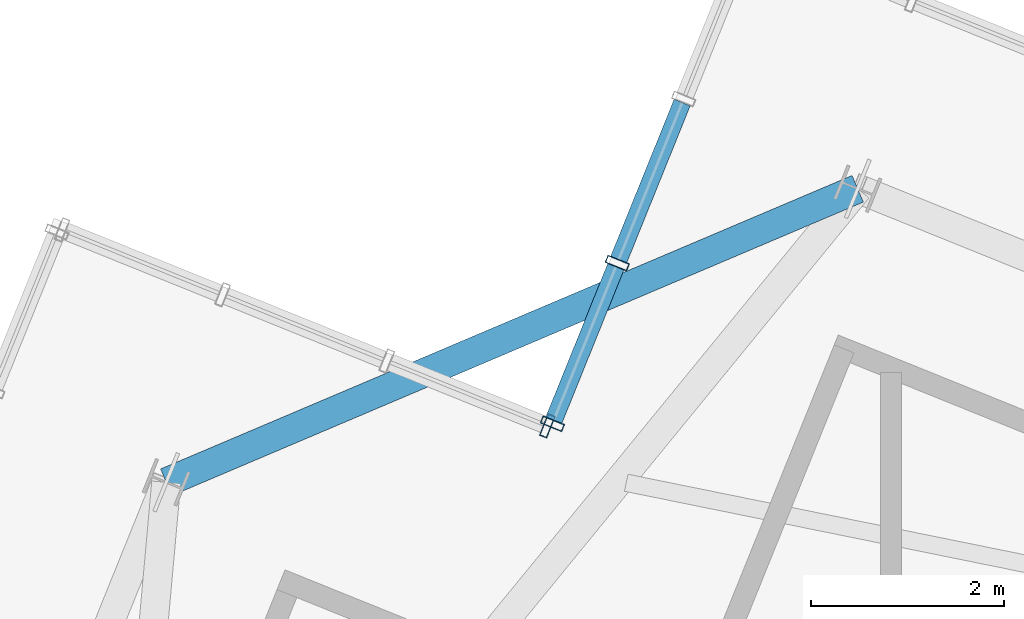
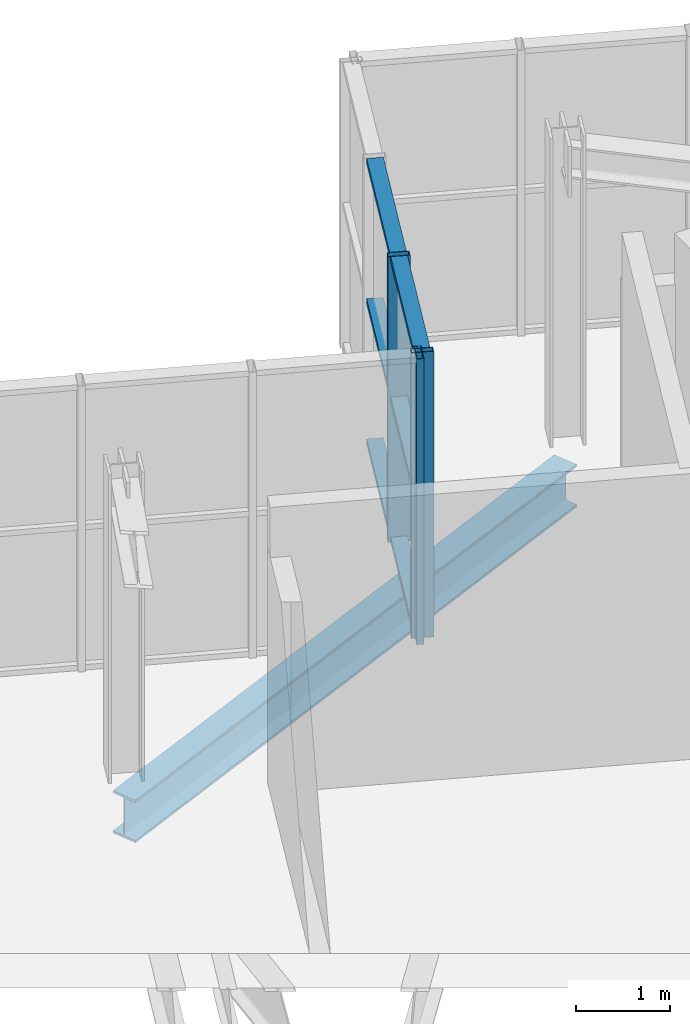
# One storey, part 14 of 26: 9 members, 1 beam, 2 elements without a shape of their own.
"""IFC4 building model written with IfcOpenShell, lengths in metres."""

from ifc_helpers import new_model, si_unit, direction, frame, origin, origin_2d, place, context, subcontext, project, spatial, hollow_rectangle, i_section, extrude, source, transform, mapped, material, layer, layer_set, material_profile, profile_set, type_object, element, aggregate, save


model = new_model("IFC4")

# Units and contexts
model_context = context("Model", 3, precision=1e-05, world=origin(), true_north=direction((0.0, 1.0)))
body_context = subcontext(model_context, "Body", "Model", "MODEL_VIEW")
ifc_project = project(units=[si_unit("LENGTHUNIT", "METRE"), si_unit("AREAUNIT", "SQUARE_METRE"), si_unit("VOLUMEUNIT", "CUBIC_METRE"), si_unit("PLANEANGLEUNIT", "RADIAN"), si_unit("MASSUNIT", "GRAM", prefix="KILO"), si_unit("THERMODYNAMICTEMPERATUREUNIT", "KELVIN")], contexts=[model_context])

# Site, building, storey
site_placement = place(None, origin())
site = spatial("IfcSite", under=ifc_project, at=site_placement, CompositionType="ELEMENT")
building_placement = place(site_placement, origin())
building = spatial("IfcBuilding", under=site, at=building_placement, Name="Kosmvard Interchange Tower", CompositionType="ELEMENT")
storey_placement = place(building_placement, frame((0.0, 0.0, 333.60009765625)))
storey = spatial("IfcBuildingStorey", under=building, at=storey_placement, Name="L82", CompositionType="ELEMENT", Elevation=333.60009765625)

# Beam
ifc_material_1 = material(Name="Steel S355", Category="steel")
ifc_material_profile_1 = material_profile(ifc_material_1, i_section(OverallWidth=0.300048828125, OverallDepth=0.550048828125, WebThickness=0.014892578125, FlangeThickness=0.029052734375, FilletRadius=0.027099609375, at=origin_2d()), Name="HEB 550")
ifc_profile_set_1 = profile_set([ifc_material_profile_1], Name="Steel S355")
beam_type = type_object("IfcBeamType", Name="Crown Ring Cap Girder HEB 550 S355", PredefinedType="BEAM", material=ifc_profile_set_1)
shared_shape_1 = source(origin(), body_context, "Body", "SweptSolid", [
    extrude(i_section(OverallWidth=0.300048828125, OverallDepth=0.550048828125, WebThickness=0.014892578125, FlangeThickness=0.029052734375, FilletRadius=0.027099609375, at=origin_2d()), origin(), (0.0, 0.0, 1.0), 7.778076171875),
])
beam_placement = place(storey_placement, frame((-5.34423828125, 22.54345703125, -0.5751953125), z_axis=(-0.92051132134, -0.39071589075, 0.0), x_axis=(0.39071589075, -0.92051132134, 0.0)))
element("IfcBeam", 1, at=beam_placement, inside=storey, type_object=beam_type, Name="BM-L82-PR06", PredefinedType="BEAM", context=body_context, shape_type="MappedRepresentation", body=[
    mapped(shared_shape_1, transform((0.0, 0.0, 0.0), scale=1.0)),
])

# Curtain wall, members
ifc_material_2 = material(Name="Architectural anodised aluminium", Category="aluminium")
ifc_layer = layer(ifc_material_2, 0.25, Name="Architectural anodised aluminium")
ifc_layer_set = layer_set([ifc_layer], Name="Architectural anodised aluminium")
curtain_wall_type = type_object("IfcCurtainWallType", Name="CW-6 Illuminated Crown Lantern Curtain Wall", PredefinedType="NOTDEFINED", material=ifc_layer_set)
curtain_wall_1_placement = place(storey_placement, origin())
curtain_wall_1 = element("IfcCurtainWall", 2, at=curtain_wall_1_placement, inside=storey, type_object=curtain_wall_type, Name="L82 Crown Lantern Glazing Face 05", PredefinedType="NOTDEFINED")
ifc_material_profile_2 = material_profile(ifc_material_2, hollow_rectangle(XDim=0.239990234375, YDim=0.080078125, WallThickness=0.006103515625, at=origin_2d()), Name="CWM 240x80x6")
ifc_profile_set_2 = profile_set([ifc_material_profile_2], Name="Architectural anodised aluminium")
member_type_1 = type_object("IfcMemberType", Name="Lantern & Observation CW Mullion 240x80 Aluminium", PredefinedType="MULLION", material=ifc_profile_set_2)
shared_shape_2 = source(origin(), body_context, "Body", "SweptSolid", [
    extrude(hollow_rectangle(XDim=0.239990234375, YDim=0.080078125, WallThickness=0.006103515625, at=origin_2d()), origin(), (0.0, 0.0, 1.0), 3.699951171875),
])
member_1_placement = place(storey_placement, frame((-7.833984375, 21.7734375, 0.0), z_axis=(0.0, 0.0, 1.0), x_axis=(0.92718386612, -0.374606564822, 0.0)))
member_1 = element("IfcMember", 3, at=member_1_placement, type_object=member_type_1, Name="CW-6 mullion 3", PredefinedType="MULLION", context=body_context, shape_type="MappedRepresentation", body=[
    mapped(shared_shape_2, transform((0.0, 0.0, 0.0), scale=1.0)),
])
member_2_placement = place(storey_placement, frame((-8.505859375, 20.110595703125, 0.0), z_axis=(0.0, 0.0, 1.0), x_axis=(0.92718386612, -0.374606564822, 0.0)))
member_2 = element("IfcMember", 4, at=member_2_placement, type_object=member_type_1, Name="CW-6 mullion 4", PredefinedType="MULLION", context=body_context, shape_type="MappedRepresentation", body=[
    mapped(shared_shape_2, transform((0.0, 0.0, 0.0), scale=1.0)),
])

# Curtain wall, member
curtain_wall_2_placement = place(storey_placement, origin())
curtain_wall_2 = element("IfcCurtainWall", 5, at=curtain_wall_2_placement, inside=storey, type_object=curtain_wall_type, Name="L82 Crown Lantern Glazing Face 06", PredefinedType="NOTDEFINED")
member_3_placement = place(storey_placement, frame((-8.557861328125, 20.088623046875, 0.0), z_axis=(0.0, 0.0, 1.0), x_axis=(-0.374606501678, -0.927183891631, 0.0)))
member_3 = element("IfcMember", 6, at=member_3_placement, type_object=member_type_1, Name="CW-6 mullion 1", PredefinedType="MULLION", context=body_context, shape_type="MappedRepresentation", body=[
    mapped(shared_shape_2, transform((0.0, 0.0, 0.0), scale=1.0)),
])
aggregate(curtain_wall_2, [member_3])

# Member
ifc_material_profile_3 = material_profile(ifc_material_2, hollow_rectangle(XDim=0.179931640625, YDim=0.070068359375, WallThickness=0.0048828125, at=origin_2d()), Name="CWT 180x70x5")
ifc_profile_set_3 = profile_set([ifc_material_profile_3], Name="Architectural anodised aluminium")
member_type_2 = type_object("IfcMemberType", Name="Heavy Lantern CW Transom 180x70 Aluminium", PredefinedType="USERDEFINED", material=ifc_profile_set_3)
shared_shape_3 = source(origin(), body_context, "Body", "SweptSolid", [
    extrude(hollow_rectangle(XDim=0.179931640625, YDim=0.070068359375, WallThickness=0.0048828125, at=origin_2d()), origin(), (0.0, 0.0, 1.0), 1.71337890625),
])
member_4_placement = place(storey_placement, frame((-7.848876953125, 21.736328125, 0.034912109375), z_axis=(-0.374606758599, -0.927183787829, 0.0), x_axis=(0.927183787829, -0.374606758599, 0.0)))
member_4 = element("IfcMember", 7, at=member_4_placement, type_object=member_type_2, Name="CW-6 transom 3.1", ObjectType="TRANSOM", PredefinedType="USERDEFINED", context=body_context, shape_type="MappedRepresentation", body=[
    mapped(shared_shape_3, transform((0.0, 0.0, 0.0), scale=1.0)),
])

member_5_placement = place(storey_placement, frame((-7.848876953125, 21.736328125, 1.849853515625), z_axis=(-0.374606758599, -0.927183787829, 0.0), x_axis=(0.927183787829, -0.374606758599, 0.0)))
member_5 = element("IfcMember", 8, at=member_5_placement, type_object=member_type_2, Name="CW-6 transom 3.2", ObjectType="TRANSOM", PredefinedType="USERDEFINED", context=body_context, shape_type="MappedRepresentation", body=[
    mapped(shared_shape_3, transform((0.0, 0.0, 0.0), scale=1.0)),
])

member_6_placement = place(storey_placement, frame((-7.848876953125, 21.736328125, 3.664794921875), z_axis=(-0.374606758599, -0.927183787829, 0.0), x_axis=(0.927183787829, -0.374606758599, 0.0)))
member_6 = element("IfcMember", 9, at=member_6_placement, type_object=member_type_2, Name="CW-6 transom 3.3", ObjectType="TRANSOM", PredefinedType="USERDEFINED", context=body_context, shape_type="MappedRepresentation", body=[
    mapped(shared_shape_3, transform((0.0, 0.0, 0.0), scale=1.0)),
])

shared_shape_4 = source(origin(), body_context, "Body", "SweptSolid", [
    extrude(hollow_rectangle(XDim=0.179931640625, YDim=0.070068359375, WallThickness=0.0048828125, at=origin_2d()), origin(), (0.0, 0.0, 1.0), 1.75341796875),
])
member_7_placement = place(storey_placement, frame((-7.162109375, 23.436279296875, 0.034912109375), z_axis=(-0.374677135907, -0.927155350429, 0.0), x_axis=(0.927155350429, -0.374677135907, 0.0)))
member_7 = element("IfcMember", 10, at=member_7_placement, type_object=member_type_2, Name="CW-6 transom 2.1", ObjectType="TRANSOM", PredefinedType="USERDEFINED", context=body_context, shape_type="MappedRepresentation", body=[
    mapped(shared_shape_4, transform((0.0, 0.0, 0.0), scale=1.0)),
])

member_8_placement = place(storey_placement, frame((-7.162109375, 23.436279296875, 1.849853515625), z_axis=(-0.374677135907, -0.927155350429, 0.0), x_axis=(0.927155350429, -0.374677135907, 0.0)))
member_8 = element("IfcMember", 11, at=member_8_placement, type_object=member_type_2, Name="CW-6 transom 2.2", ObjectType="TRANSOM", PredefinedType="USERDEFINED", context=body_context, shape_type="MappedRepresentation", body=[
    mapped(shared_shape_4, transform((0.0, 0.0, 0.0), scale=1.0)),
])

member_9_placement = place(storey_placement, frame((-7.162109375, 23.436279296875, 3.664794921875), z_axis=(-0.374677135907, -0.927155350429, 0.0), x_axis=(0.927155350429, -0.374677135907, 0.0)))
member_9 = element("IfcMember", 12, at=member_9_placement, type_object=member_type_2, Name="CW-6 transom 2.3", ObjectType="TRANSOM", PredefinedType="USERDEFINED", context=body_context, shape_type="MappedRepresentation", body=[
    mapped(shared_shape_4, transform((0.0, 0.0, 0.0), scale=1.0)),
])

aggregate(curtain_wall_1, [member_1, member_2, member_7, member_8, member_9, member_4, member_5, member_6])

save(model, "model.ifc")
